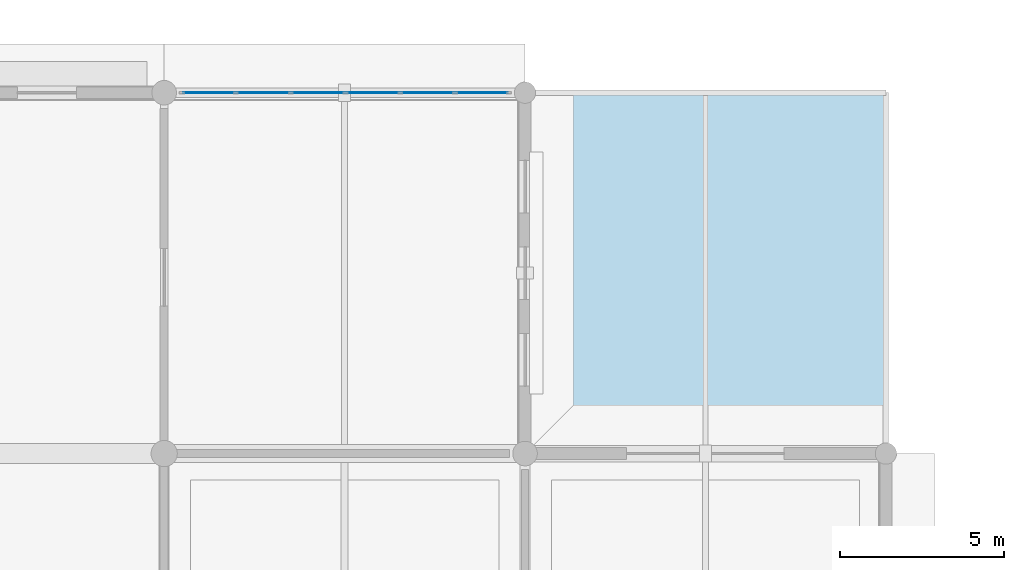
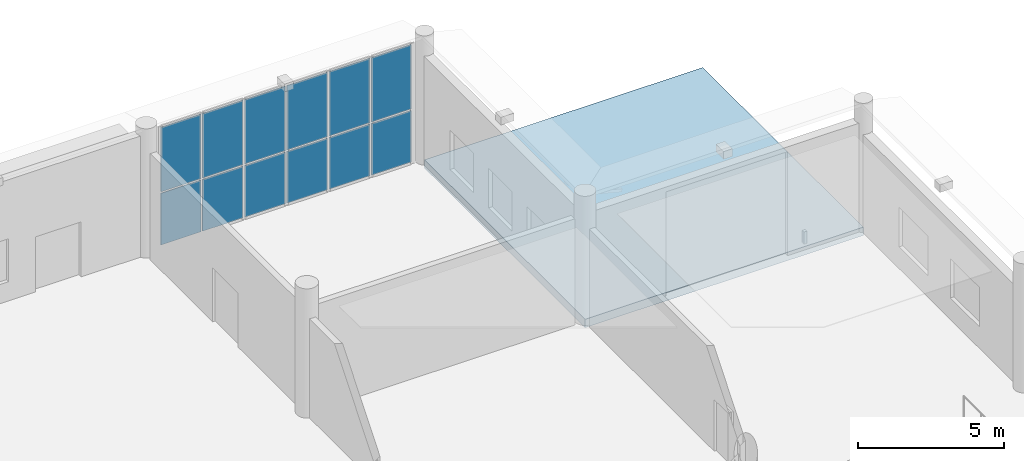
# One storey, part 50 of 120: 12 plates, 1 slab, 1 element without a shape of its own.
"""IFC4 building model written with IfcOpenShell, lengths in metres."""

from ifc_helpers import new_model, si_unit, direction, frame, origin, origin_2d, place, context, subcontext, project, spatial, polyline, rectangle, outline, extrude, material, layer, layer_set, type_object, element, aggregate, save


model = new_model("IFC4")

# Units and contexts
model_context = context("Model", 3, precision=1e-05, world=origin(), true_north=direction((0.0, 1.0)))
body_context = subcontext(model_context, "Body", "Model", "MODEL_VIEW")
ifc_project = project(units=[si_unit("LENGTHUNIT", "METRE"), si_unit("AREAUNIT", "SQUARE_METRE"), si_unit("VOLUMEUNIT", "CUBIC_METRE"), si_unit("PLANEANGLEUNIT", "RADIAN"), si_unit("MASSUNIT", "GRAM", prefix="KILO")], contexts=[model_context])

# Site, building, storey
site_placement = place(None, origin())
site = spatial("IfcSite", under=ifc_project, at=site_placement, CompositionType="ELEMENT")
building_placement = place(site_placement, origin())
building = spatial("IfcBuilding", under=site, at=building_placement, Name="Luwafu Chhajja Arena", CompositionType="ELEMENT")
storey_placement = place(building_placement, origin())
storey = spatial("IfcBuildingStorey", under=building, at=storey_placement, Name="L00", CompositionType="ELEMENT", Elevation=0.0)

# Slab
ifc_material_1 = material(Name="Concrete C35/45", Category="concrete")
ifc_layer_1 = layer(ifc_material_1, 0.35009765625, Name="Concrete C35/45")
ifc_layer_set_1 = layer_set([ifc_layer_1], Name="Concrete C35/45")
slab_type = type_object("IfcSlabType", Name="Service Apron Paving Slab 350", PredefinedType="BASESLAB", material=ifc_layer_set_1)
slab_placement = place(storey_placement, frame((0.0, 0.0, -0.35009765625)))
element("IfcSlab", 1, at=slab_placement, inside=storey, type_object=slab_type, Name="L00 North Event Loading Service Apron", PredefinedType="BASESLAB", context=body_context, shape_type="SweptSolid", body=[
    extrude(outline(polyline([(187.0, 121.0), (198.0, 121.0), (198.0, 132.0), (187.0, 132.0), (187.0, 121.0)])), origin(), (0.0, 0.0, 1.0), 0.35009765625),
])

# Curtain wall, plates
ifc_material_2 = material(Name="Anodised bronze aluminium", Category="aluminium")
curtain_wall_type = type_object("IfcCurtainWallType", Name="Bowl Concourse Chord Curtain Wall", PredefinedType="USERDEFINED", material=ifc_material_2)
curtain_wall_placement = place(storey_placement, origin())
curtain_wall = element("IfcCurtainWall", 2, at=curtain_wall_placement, inside=storey, type_object=curtain_wall_type, Name="L00 Curtain Wall CWG-L00-H15_12", ObjectType="CURTAIN WALL", PredefinedType="USERDEFINED")
ifc_material_3 = material(Name="Solar-control laminated glass", Category="glass")
ifc_layer_2 = layer(ifc_material_3, 0.028076171875, Name="Solar-control laminated glass")
ifc_layer_set_2 = layer_set([ifc_layer_2], Name="Solar-control laminated glass")
plate_type = type_object("IfcPlateType", Name="Solar Control Double Glazed CW Panel 28", PredefinedType="CURTAIN_PANEL", material=ifc_layer_set_2)
plate_1_placement = place(storey_placement, frame((177.364990234375, 132.0, 0.090087890625), z_axis=(0.0, 0.0, 1.0), x_axis=(1.0, 0.0, 0.0)))
plate_1 = element("IfcPlate", 3, at=plate_1_placement, type_object=plate_type, Name="CW-01 panel 1.1", PredefinedType="CURTAIN_PANEL", context=body_context, shape_type="SweptSolid", body=[
    extrude(rectangle(XDim=1.580078125, YDim=0.028076171875, at=origin_2d()), origin(), (0.0, 0.0, 1.0), 2.1591796875),
])
plate_2_placement = place(storey_placement, frame((177.364990234375, 132.0, 2.309326171875), z_axis=(0.0, 0.0, 1.0), x_axis=(1.0, 0.0, 0.0)))
plate_2 = element("IfcPlate", 4, at=plate_2_placement, type_object=plate_type, Name="CW-01 panel 1.2", PredefinedType="CURTAIN_PANEL", context=body_context, shape_type="SweptSolid", body=[
    extrude(rectangle(XDim=1.580078125, YDim=0.028076171875, at=origin_2d()), origin(), (0.0, 0.0, 1.0), 2.69580078125),
])
plate_3_placement = place(storey_placement, frame((179.02001953125, 132.0, 0.090087890625), z_axis=(0.0, 0.0, 1.0), x_axis=(1.0, 0.0, 0.0)))
plate_3 = element("IfcPlate", 5, at=plate_3_placement, type_object=plate_type, Name="CW-01 panel 2.1", PredefinedType="CURTAIN_PANEL", context=body_context, shape_type="SweptSolid", body=[
    extrude(rectangle(XDim=1.610107421875, YDim=0.028076171875, at=origin_2d()), origin(), (0.0, 0.0, 1.0), 2.1591796875),
])
plate_4_placement = place(storey_placement, frame((179.02001953125, 132.0, 2.309326171875), z_axis=(0.0, 0.0, 1.0), x_axis=(1.0, 0.0, 0.0)))
plate_4 = element("IfcPlate", 6, at=plate_4_placement, type_object=plate_type, Name="CW-01 panel 2.2", PredefinedType="CURTAIN_PANEL", context=body_context, shape_type="SweptSolid", body=[
    extrude(rectangle(XDim=1.610107421875, YDim=0.028076171875, at=origin_2d()), origin(), (0.0, 0.0, 1.0), 2.69580078125),
])
plate_5_placement = place(storey_placement, frame((180.68994140625, 132.0, 0.090087890625), z_axis=(0.0, 0.0, 1.0), x_axis=(1.0, 0.0, 0.0)))
plate_5 = element("IfcPlate", 7, at=plate_5_placement, type_object=plate_type, Name="CW-01 panel 3.1", PredefinedType="CURTAIN_PANEL", context=body_context, shape_type="SweptSolid", body=[
    extrude(rectangle(XDim=1.610107421875, YDim=0.028076171875, at=origin_2d()), origin(), (0.0, 0.0, 1.0), 2.1591796875),
])
plate_6_placement = place(storey_placement, frame((180.68994140625, 132.0, 2.309326171875), z_axis=(0.0, 0.0, 1.0), x_axis=(1.0, 0.0, 0.0)))
plate_6 = element("IfcPlate", 8, at=plate_6_placement, type_object=plate_type, Name="CW-01 panel 3.2", PredefinedType="CURTAIN_PANEL", context=body_context, shape_type="SweptSolid", body=[
    extrude(rectangle(XDim=1.610107421875, YDim=0.028076171875, at=origin_2d()), origin(), (0.0, 0.0, 1.0), 2.69580078125),
])
plate_7_placement = place(storey_placement, frame((182.360107421875, 132.0, 0.090087890625), z_axis=(0.0, 0.0, 1.0), x_axis=(1.0, 0.0, 0.0)))
plate_7 = element("IfcPlate", 9, at=plate_7_placement, type_object=plate_type, Name="CW-01 panel 4.1", PredefinedType="CURTAIN_PANEL", context=body_context, shape_type="SweptSolid", body=[
    extrude(rectangle(XDim=1.610107421875, YDim=0.028076171875, at=origin_2d()), origin(), (0.0, 0.0, 1.0), 2.1591796875),
])
plate_8_placement = place(storey_placement, frame((182.360107421875, 132.0, 2.309326171875), z_axis=(0.0, 0.0, 1.0), x_axis=(1.0, 0.0, 0.0)))
plate_8 = element("IfcPlate", 10, at=plate_8_placement, type_object=plate_type, Name="CW-01 panel 4.2", PredefinedType="CURTAIN_PANEL", context=body_context, shape_type="SweptSolid", body=[
    extrude(rectangle(XDim=1.610107421875, YDim=0.028076171875, at=origin_2d()), origin(), (0.0, 0.0, 1.0), 2.69580078125),
])
plate_9_placement = place(storey_placement, frame((184.030029296875, 132.0, 0.090087890625), z_axis=(0.0, 0.0, 1.0), x_axis=(1.0, 0.0, 0.0)))
plate_9 = element("IfcPlate", 11, at=plate_9_placement, type_object=plate_type, Name="CW-01 panel 5.1", PredefinedType="CURTAIN_PANEL", context=body_context, shape_type="SweptSolid", body=[
    extrude(rectangle(XDim=1.610107421875, YDim=0.028076171875, at=origin_2d()), origin(), (0.0, 0.0, 1.0), 2.1591796875),
])
plate_10_placement = place(storey_placement, frame((184.030029296875, 132.0, 2.309326171875), z_axis=(0.0, 0.0, 1.0), x_axis=(1.0, 0.0, 0.0)))
plate_10 = element("IfcPlate", 12, at=plate_10_placement, type_object=plate_type, Name="CW-01 panel 5.2", PredefinedType="CURTAIN_PANEL", context=body_context, shape_type="SweptSolid", body=[
    extrude(rectangle(XDim=1.610107421875, YDim=0.028076171875, at=origin_2d()), origin(), (0.0, 0.0, 1.0), 2.69580078125),
])
plate_11_placement = place(storey_placement, frame((185.68505859375, 132.0, 0.090087890625), z_axis=(0.0, 0.0, 1.0), x_axis=(1.0, 0.0, 0.0)))
plate_11 = element("IfcPlate", 13, at=plate_11_placement, type_object=plate_type, Name="CW-01 panel 6.1", PredefinedType="CURTAIN_PANEL", context=body_context, shape_type="SweptSolid", body=[
    extrude(rectangle(XDim=1.580078125, YDim=0.028076171875, at=origin_2d()), origin(), (0.0, 0.0, 1.0), 2.1591796875),
])
plate_12_placement = place(storey_placement, frame((185.68505859375, 132.0, 2.309326171875), z_axis=(0.0, 0.0, 1.0), x_axis=(1.0, 0.0, 0.0)))
plate_12 = element("IfcPlate", 14, at=plate_12_placement, type_object=plate_type, Name="CW-01 panel 6.2", PredefinedType="CURTAIN_PANEL", context=body_context, shape_type="SweptSolid", body=[
    extrude(rectangle(XDim=1.580078125, YDim=0.028076171875, at=origin_2d()), origin(), (0.0, 0.0, 1.0), 2.69580078125),
])
aggregate(curtain_wall, [plate_1, plate_2, plate_3, plate_4, plate_5, plate_6, plate_7, plate_8, plate_9, plate_10, plate_11, plate_12])

save(model, "model.ifc")
